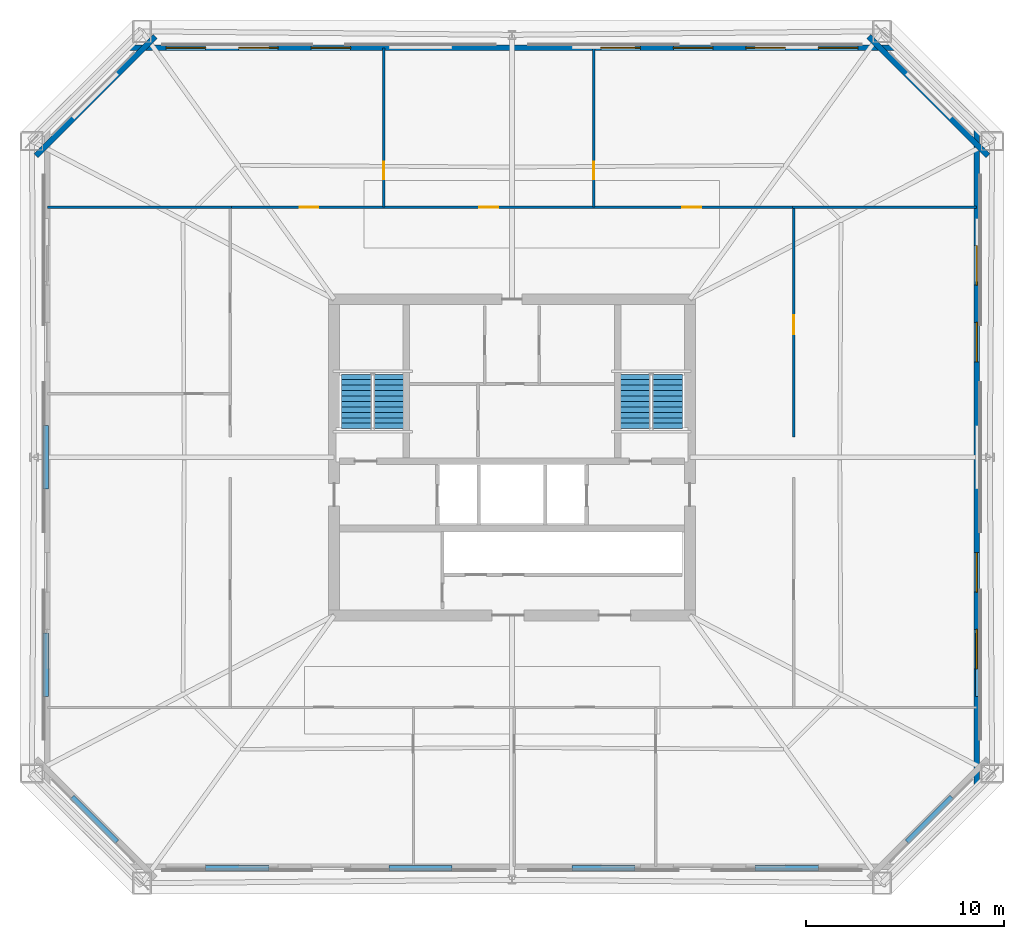
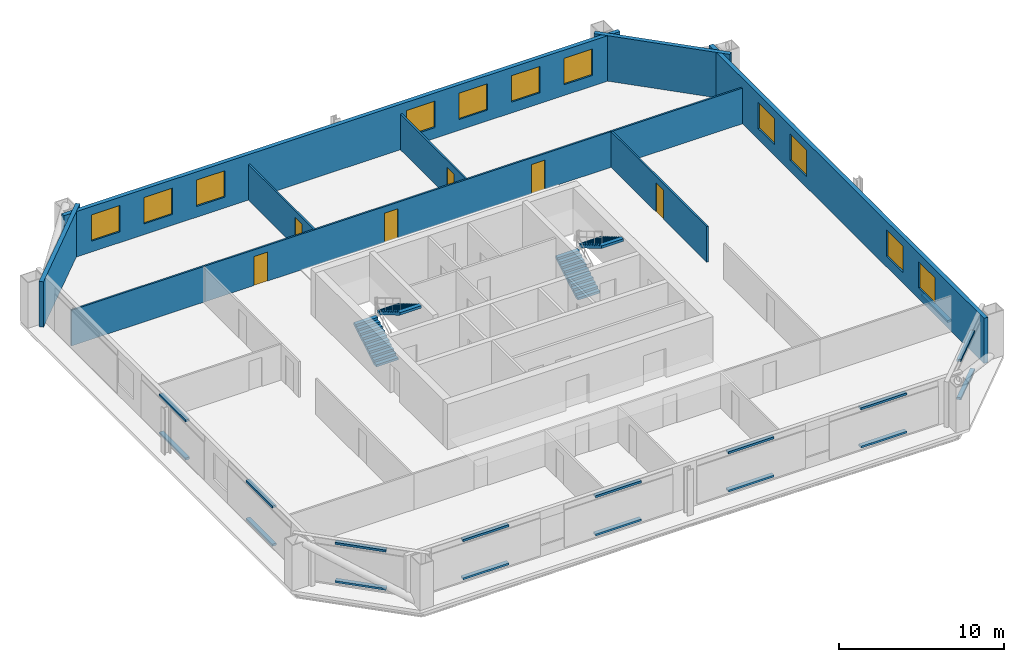
# One storey, part 4 of 7: 17 discrete accessories, 11 windows, 10 walls, 6 doors, 4 stair flights, 17 openings, 2 elements without a shape of their own.
"""IFC4 building model written with IfcOpenShell, lengths in metres."""

from ifc_helpers import new_model, si_unit, direction, frame, frame_2d, origin, origin_2d, place, context, subcontext, project, spatial, polyline, rectangle, outline, extrude, material, layer, layer_set, type_object, element, fill, aggregate, save


model = new_model("IFC4")

# Units and contexts
model_context = context("Model", 3, precision=1e-05, world=origin(), true_north=direction((0.0, 1.0)))
body_context = subcontext(model_context, "Body", "Model", "MODEL_VIEW")
ifc_project = project(units=[si_unit("LENGTHUNIT", "METRE"), si_unit("AREAUNIT", "SQUARE_METRE"), si_unit("VOLUMEUNIT", "CUBIC_METRE"), si_unit("PLANEANGLEUNIT", "RADIAN"), si_unit("MASSUNIT", "GRAM", prefix="KILO")], contexts=[model_context])

# Site, building, storey
site_placement = place(None, origin())
site = spatial("IfcSite", under=ifc_project, at=site_placement, CompositionType="ELEMENT")
building_placement = place(site_placement, origin())
building = spatial("IfcBuilding", under=site, at=building_placement, Name="Caelvoria Tower", CompositionType="ELEMENT")
storey_placement = place(building_placement, frame((0.0, 0.0, 98.800048828125)))
storey = spatial("IfcBuildingStorey", under=building, at=storey_placement, Name="L25", CompositionType="ELEMENT", Elevation=98.800048828125)

# Wall, openings, windows
ifc_material_1 = material(Name="Precast Concrete C40/50 with Bronze Cladding", Category="concrete")
ifc_layer_1 = layer(ifc_material_1, 0.280029296875, Name="Precast Concrete C40/50 with Bronze Cladding")
ifc_layer_set_1 = layer_set([ifc_layer_1], Name="Exterior Precast Concrete C40/50 Bronze-Clad Facade Wall 280 - Precast Concrete C40/50 with Bronze Cladding")
wall_type_1 = type_object("IfcWallType", Name="Exterior Precast Concrete C40/50 Bronze-Clad Facade Wall 280", PredefinedType="STANDARD", material=ifc_layer_set_1)
wall_1_placement = place(storey_placement, frame((69.52001953125, 15.360107421875, 0.0), z_axis=(0.0, 0.0, 1.0), x_axis=(0.0, 1.0, 0.0)))
wall_1 = element("IfcWall", 1, at=wall_1_placement, inside=storey, type_object=wall_type_1, Name="Exterior Facade Wall L25-E2", PredefinedType="STANDARD", context=body_context, shape_type="SweptSolid", body=[
    extrude(rectangle(XDim=33.27978515625, YDim=0.280029296875, at=frame_2d((16.639892578125, 0.0))), origin(), (0.0, 0.0, 1.0), 3.35986328125),
])
opening_1_placement = place(wall_1_placement, frame((5.927490234375, 0.0, 0.800048828125)))
opening_1 = element("IfcOpeningElement", 2, at=opening_1_placement, cuts=wall_1, Name="Opening WN-01", PredefinedType="OPENING", context=body_context, shape_type="SweptSolid", body=[
    extrude(rectangle(XDim=2.0, YDim=1.949951171875, at=frame_2d((1.0, 0.97509765625))), frame((0.0, 0.14990234375, 0.0), z_axis=(0.0, -1.0, 0.0), x_axis=(1.0, 0.0, 0.0)), (0.0, 0.0, 1.0), 0.300048828125),
])
opening_2_placement = place(wall_1_placement, frame((9.8125, 0.0, 0.800048828125)))
opening_2 = element("IfcOpeningElement", 3, at=opening_2_placement, cuts=wall_1, Name="Opening WN-01", PredefinedType="OPENING", context=body_context, shape_type="SweptSolid", body=[
    extrude(rectangle(XDim=2.0, YDim=1.949951171875, at=frame_2d((1.0, 0.97509765625))), frame((0.0, 0.14990234375, 0.0), z_axis=(0.0, -1.0, 0.0), x_axis=(1.0, 0.0, 0.0)), (0.0, 0.0, 1.0), 0.300048828125),
])
opening_3_placement = place(wall_1_placement, frame((21.467529296875, 0.0, 0.800048828125)))
opening_3 = element("IfcOpeningElement", 4, at=opening_3_placement, cuts=wall_1, Name="Opening WN-01", PredefinedType="OPENING", context=body_context, shape_type="SweptSolid", body=[
    extrude(rectangle(XDim=2.0, YDim=1.949951171875, at=frame_2d((1.0, 0.97509765625))), frame((0.0, 0.14990234375, 0.0), z_axis=(0.0, -1.0, 0.0), x_axis=(1.0, 0.0, 0.0)), (0.0, 0.0, 1.0), 0.300048828125),
])
opening_4_placement = place(wall_1_placement, frame((25.3525390625, 0.0, 0.800048828125)))
opening_4 = element("IfcOpeningElement", 5, at=opening_4_placement, cuts=wall_1, Name="Opening WN-01", PredefinedType="OPENING", context=body_context, shape_type="SweptSolid", body=[
    extrude(rectangle(XDim=2.0, YDim=1.949951171875, at=frame_2d((1.0, 0.97509765625))), frame((0.0, 0.14990234375, 0.0), z_axis=(0.0, -1.0, 0.0), x_axis=(1.0, 0.0, 0.0)), (0.0, 0.0, 1.0), 0.300048828125),
])
ifc_material_2 = material(Name="Low-E Tinted Glass in Bronze Aluminium Frame", Category="aluminium")
window_type = type_object("IfcWindowType", Name="Tower Office Vision Window 2000x1950", PartitioningType="SINGLE_PANEL", PredefinedType="WINDOW", material=ifc_material_2)
window_1_placement = place(opening_1_placement, origin())
window_1 = element("IfcWindow", 6, at=window_1_placement, inside=storey, type_object=window_type, Name="Facade Window L25-E2-01", OverallHeight=1.949951171875, OverallWidth=2.0, PartitioningType="SINGLE_PANEL", PredefinedType="WINDOW", context=body_context, shape_type="SweptSolid", body=[
    extrude(rectangle(XDim=2.0, YDim=1.949951171875, at=frame_2d((1.0, 0.97509765625))), frame((0.0, 0.030029296875, 0.0), z_axis=(0.0, -1.0, 0.0), x_axis=(1.0, 0.0, 0.0)), (0.0, 0.0, 1.0), 0.06005859375),
])
fill(opening_1, window_1)
window_2_placement = place(opening_2_placement, origin())
window_2 = element("IfcWindow", 7, at=window_2_placement, inside=storey, type_object=window_type, Name="Facade Window L25-E2-02", OverallHeight=1.949951171875, OverallWidth=2.0, PartitioningType="SINGLE_PANEL", PredefinedType="WINDOW", context=body_context, shape_type="SweptSolid", body=[
    extrude(rectangle(XDim=2.0, YDim=1.949951171875, at=frame_2d((1.0, 0.97509765625))), frame((0.0, 0.030029296875, 0.0), z_axis=(0.0, -1.0, 0.0), x_axis=(1.0, 0.0, 0.0)), (0.0, 0.0, 1.0), 0.06005859375),
])
fill(opening_2, window_2)
window_3_placement = place(opening_3_placement, origin())
window_3 = element("IfcWindow", 8, at=window_3_placement, inside=storey, type_object=window_type, Name="Facade Window L25-E2-05", OverallHeight=1.949951171875, OverallWidth=2.0, PartitioningType="SINGLE_PANEL", PredefinedType="WINDOW", context=body_context, shape_type="SweptSolid", body=[
    extrude(rectangle(XDim=2.0, YDim=1.949951171875, at=frame_2d((1.0, 0.97509765625))), frame((0.0, 0.030029296875, 0.0), z_axis=(0.0, -1.0, 0.0), x_axis=(1.0, 0.0, 0.0)), (0.0, 0.0, 1.0), 0.06005859375),
])
fill(opening_3, window_3)
window_4_placement = place(opening_4_placement, origin())
window_4 = element("IfcWindow", 9, at=window_4_placement, inside=storey, type_object=window_type, Name="Facade Window L25-E2-06", OverallHeight=1.949951171875, OverallWidth=2.0, PartitioningType="SINGLE_PANEL", PredefinedType="WINDOW", context=body_context, shape_type="SweptSolid", body=[
    extrude(rectangle(XDim=2.0, YDim=1.949951171875, at=frame_2d((1.0, 0.97509765625))), frame((0.0, 0.030029296875, 0.0), z_axis=(0.0, -1.0, 0.0), x_axis=(1.0, 0.0, 0.0)), (0.0, 0.0, 1.0), 0.06005859375),
])
fill(opening_4, window_4)

# Wall
wall_2_placement = place(storey_placement, frame((70.093994140625, 47.25439453125, 0.0), z_axis=(0.0, 0.0, 1.0), x_axis=(-0.707106781187, 0.707106781187, 0.0)))
element("IfcWall", 10, at=wall_2_placement, inside=storey, type_object=wall_type_1, Name="Exterior Facade Wall L25-E3", PredefinedType="STANDARD", context=body_context, shape_type="SweptSolid", body=[
    extrude(rectangle(XDim=8.541259765625, YDim=0.280029296875, at=frame_2d((4.2705078125, 0.0))), origin(), (0.0, 0.0, 1.0), 3.35986328125),
])

# Wall, openings, windows
wall_3_placement = place(storey_placement, frame((65.43994140625, 52.719970703125, 0.0), z_axis=(0.0, 0.0, 1.0), x_axis=(-1.0, 0.0, 0.0)))
wall_3 = element("IfcWall", 11, at=wall_3_placement, inside=storey, type_object=wall_type_1, Name="Exterior Facade Wall L25-E4", PredefinedType="STANDARD", context=body_context, shape_type="SweptSolid", body=[
    extrude(rectangle(XDim=38.8798828125, YDim=0.280029296875, at=frame_2d((19.43994140625, 0.0))), origin(), (0.0, 0.0, 1.0), 3.35986328125),
])
opening_5_placement = place(wall_3_placement, frame((1.93408203125, 0.0, 0.800048828125)))
opening_5 = element("IfcOpeningElement", 12, at=opening_5_placement, cuts=wall_3, Name="Opening WN-01", PredefinedType="OPENING", context=body_context, shape_type="SweptSolid", body=[
    extrude(rectangle(XDim=2.0, YDim=1.949951171875, at=frame_2d((1.0, 0.97509765625))), frame((0.0, 0.14990234375, 0.0), z_axis=(0.0, -1.0, 0.0), x_axis=(1.0, 0.0, 0.0)), (0.0, 0.0, 1.0), 0.300048828125),
])
opening_6_placement = place(wall_3_placement, frame((5.60205078125, 0.0, 0.800048828125)))
opening_6 = element("IfcOpeningElement", 13, at=opening_6_placement, cuts=wall_3, Name="Opening WN-01", PredefinedType="OPENING", context=body_context, shape_type="SweptSolid", body=[
    extrude(rectangle(XDim=2.0, YDim=1.949951171875, at=frame_2d((1.0, 0.97509765625))), frame((0.0, 0.14990234375, 0.0), z_axis=(0.0, -1.0, 0.0), x_axis=(1.0, 0.0, 0.0)), (0.0, 0.0, 1.0), 0.300048828125),
])
opening_7_placement = place(wall_3_placement, frame((9.27001953125, 0.0, 0.800048828125)))
opening_7 = element("IfcOpeningElement", 14, at=opening_7_placement, cuts=wall_3, Name="Opening WN-01", PredefinedType="OPENING", context=body_context, shape_type="SweptSolid", body=[
    extrude(rectangle(XDim=2.0, YDim=1.949951171875, at=frame_2d((1.0, 0.97509765625))), frame((0.0, 0.14990234375, 0.0), z_axis=(0.0, -1.0, 0.0), x_axis=(1.0, 0.0, 0.0)), (0.0, 0.0, 1.0), 0.300048828125),
])
opening_8_placement = place(wall_3_placement, frame((12.93798828125, 0.0, 0.800048828125)))
opening_8 = element("IfcOpeningElement", 15, at=opening_8_placement, cuts=wall_3, Name="Opening WN-01", PredefinedType="OPENING", context=body_context, shape_type="SweptSolid", body=[
    extrude(rectangle(XDim=2.0, YDim=1.949951171875, at=frame_2d((1.0, 0.97509765625))), frame((0.0, 0.14990234375, 0.0), z_axis=(0.0, -1.0, 0.0), x_axis=(1.0, 0.0, 0.0)), (0.0, 0.0, 1.0), 0.300048828125),
])
opening_9_placement = place(wall_3_placement, frame((27.610107421875, 0.0, 0.800048828125)))
opening_9 = element("IfcOpeningElement", 16, at=opening_9_placement, cuts=wall_3, Name="Opening WN-01", PredefinedType="OPENING", context=body_context, shape_type="SweptSolid", body=[
    extrude(rectangle(XDim=2.0, YDim=1.949951171875, at=frame_2d((1.0, 0.97509765625))), frame((0.0, 0.14990234375, 0.0), z_axis=(0.0, -1.0, 0.0), x_axis=(1.0, 0.0, 0.0)), (0.0, 0.0, 1.0), 0.300048828125),
])
opening_10_placement = place(wall_3_placement, frame((31.278076171875, 0.0, 0.800048828125)))
opening_10 = element("IfcOpeningElement", 17, at=opening_10_placement, cuts=wall_3, Name="Opening WN-01", PredefinedType="OPENING", context=body_context, shape_type="SweptSolid", body=[
    extrude(rectangle(XDim=2.0, YDim=1.949951171875, at=frame_2d((1.0, 0.97509765625))), frame((0.0, 0.14990234375, 0.0), z_axis=(0.0, -1.0, 0.0), x_axis=(1.0, 0.0, 0.0)), (0.0, 0.0, 1.0), 0.300048828125),
])
opening_11_placement = place(wall_3_placement, frame((34.946044921875, 0.0, 0.800048828125)))
opening_11 = element("IfcOpeningElement", 18, at=opening_11_placement, cuts=wall_3, Name="Opening WN-01", PredefinedType="OPENING", context=body_context, shape_type="SweptSolid", body=[
    extrude(rectangle(XDim=2.0, YDim=1.949951171875, at=frame_2d((1.0, 0.97509765625))), frame((0.0, 0.14990234375, 0.0), z_axis=(0.0, -1.0, 0.0), x_axis=(1.0, 0.0, 0.0)), (0.0, 0.0, 1.0), 0.300048828125),
])
window_5_placement = place(opening_5_placement, origin())
window_5 = element("IfcWindow", 19, at=window_5_placement, inside=storey, type_object=window_type, Name="Facade Window L25-E4-00", OverallHeight=1.949951171875, OverallWidth=2.0, PartitioningType="SINGLE_PANEL", PredefinedType="WINDOW", context=body_context, shape_type="SweptSolid", body=[
    extrude(rectangle(XDim=2.0, YDim=1.949951171875, at=frame_2d((1.0, 0.97509765625))), frame((0.0, 0.030029296875, 0.0), z_axis=(0.0, -1.0, 0.0), x_axis=(1.0, 0.0, 0.0)), (0.0, 0.0, 1.0), 0.06005859375),
])
fill(opening_5, window_5)
window_6_placement = place(opening_6_placement, origin())
window_6 = element("IfcWindow", 20, at=window_6_placement, inside=storey, type_object=window_type, Name="Facade Window L25-E4-01", OverallHeight=1.949951171875, OverallWidth=2.0, PartitioningType="SINGLE_PANEL", PredefinedType="WINDOW", context=body_context, shape_type="SweptSolid", body=[
    extrude(rectangle(XDim=2.0, YDim=1.949951171875, at=frame_2d((1.0, 0.97509765625))), frame((0.0, 0.030029296875, 0.0), z_axis=(0.0, -1.0, 0.0), x_axis=(1.0, 0.0, 0.0)), (0.0, 0.0, 1.0), 0.06005859375),
])
fill(opening_6, window_6)
window_7_placement = place(opening_7_placement, origin())
window_7 = element("IfcWindow", 21, at=window_7_placement, inside=storey, type_object=window_type, Name="Facade Window L25-E4-02", OverallHeight=1.949951171875, OverallWidth=2.0, PartitioningType="SINGLE_PANEL", PredefinedType="WINDOW", context=body_context, shape_type="SweptSolid", body=[
    extrude(rectangle(XDim=2.0, YDim=1.949951171875, at=frame_2d((1.0, 0.97509765625))), frame((0.0, 0.030029296875, 0.0), z_axis=(0.0, -1.0, 0.0), x_axis=(1.0, 0.0, 0.0)), (0.0, 0.0, 1.0), 0.06005859375),
])
fill(opening_7, window_7)
window_8_placement = place(opening_8_placement, origin())
window_8 = element("IfcWindow", 22, at=window_8_placement, inside=storey, type_object=window_type, Name="Facade Window L25-E4-03", OverallHeight=1.949951171875, OverallWidth=2.0, PartitioningType="SINGLE_PANEL", PredefinedType="WINDOW", context=body_context, shape_type="SweptSolid", body=[
    extrude(rectangle(XDim=2.0, YDim=1.949951171875, at=frame_2d((1.0, 0.97509765625))), frame((0.0, 0.030029296875, 0.0), z_axis=(0.0, -1.0, 0.0), x_axis=(1.0, 0.0, 0.0)), (0.0, 0.0, 1.0), 0.06005859375),
])
fill(opening_8, window_8)
window_9_placement = place(opening_9_placement, origin())
window_9 = element("IfcWindow", 23, at=window_9_placement, inside=storey, type_object=window_type, Name="Facade Window L25-E4-07", OverallHeight=1.949951171875, OverallWidth=2.0, PartitioningType="SINGLE_PANEL", PredefinedType="WINDOW", context=body_context, shape_type="SweptSolid", body=[
    extrude(rectangle(XDim=2.0, YDim=1.949951171875, at=frame_2d((1.0, 0.97509765625))), frame((0.0, 0.030029296875, 0.0), z_axis=(0.0, -1.0, 0.0), x_axis=(1.0, 0.0, 0.0)), (0.0, 0.0, 1.0), 0.06005859375),
])
fill(opening_9, window_9)
window_10_placement = place(opening_10_placement, origin())
window_10 = element("IfcWindow", 24, at=window_10_placement, inside=storey, type_object=window_type, Name="Facade Window L25-E4-08", OverallHeight=1.949951171875, OverallWidth=2.0, PartitioningType="SINGLE_PANEL", PredefinedType="WINDOW", context=body_context, shape_type="SweptSolid", body=[
    extrude(rectangle(XDim=2.0, YDim=1.949951171875, at=frame_2d((1.0, 0.97509765625))), frame((0.0, 0.030029296875, 0.0), z_axis=(0.0, -1.0, 0.0), x_axis=(1.0, 0.0, 0.0)), (0.0, 0.0, 1.0), 0.06005859375),
])
fill(opening_10, window_10)
window_11_placement = place(opening_11_placement, origin())
window_11 = element("IfcWindow", 25, at=window_11_placement, inside=storey, type_object=window_type, Name="Facade Window L25-E4-09", OverallHeight=1.949951171875, OverallWidth=2.0, PartitioningType="SINGLE_PANEL", PredefinedType="WINDOW", context=body_context, shape_type="SweptSolid", body=[
    extrude(rectangle(XDim=2.0, YDim=1.949951171875, at=frame_2d((1.0, 0.97509765625))), frame((0.0, 0.030029296875, 0.0), z_axis=(0.0, -1.0, 0.0), x_axis=(1.0, 0.0, 0.0)), (0.0, 0.0, 1.0), 0.06005859375),
])
fill(opening_11, window_11)

# Wall
wall_4_placement = place(storey_placement, frame((27.945556640625, 53.2939453125, 0.0), z_axis=(0.0, 0.0, 1.0), x_axis=(-0.707106781187, -0.707106781187, 0.0)))
element("IfcWall", 26, at=wall_4_placement, inside=storey, type_object=wall_type_1, Name="Exterior Facade Wall L25-E5", PredefinedType="STANDARD", context=body_context, shape_type="SweptSolid", body=[
    extrude(rectangle(XDim=8.541259765625, YDim=0.280029296875, at=frame_2d((4.2705078125, 0.0))), origin(), (0.0, 0.0, 1.0), 3.35986328125),
])

# Wall, opening, door
ifc_material_3 = material(Name="Acoustic Gypsum Board on Light-Gauge Stud", Category="gypsum")
ifc_layer_2 = layer(ifc_material_3, 0.1201171875, Name="Acoustic Gypsum Board on Light-Gauge Stud")
ifc_layer_set_2 = layer_set([ifc_layer_2], Name="Tenant Suite Acoustic Partition Wall 120 - Acoustic Gypsum Board on Light-Gauge Stud")
wall_type_2 = type_object("IfcWallType", Name="Tenant Suite Acoustic Partition Wall 120", PredefinedType="PARTITIONING", material=ifc_layer_set_2)
wall_5_placement = place(storey_placement, frame((39.51416015625, 44.659912109375, 0.0), z_axis=(0.0, 0.0, 1.0), x_axis=(0.0, 1.0, 0.0)))
wall_5 = element("IfcWall", 27, at=wall_5_placement, inside=storey, type_object=wall_type_2, Name="Interior Partition IW-L25-ND-00-0", PredefinedType="PARTITIONING", context=body_context, shape_type="SweptSolid", body=[
    extrude(rectangle(XDim=8.06005859375, YDim=0.1201171875, at=frame_2d((4.030029296875, 0.0))), origin(), (0.0, 0.0, 1.0), 2.639892578125),
])
opening_12_placement = place(wall_5_placement, frame((1.39990234375, 0.0, 0.0)))
opening_12 = element("IfcOpeningElement", 28, at=opening_12_placement, cuts=wall_5, Name="Opening ID-06", PredefinedType="OPENING", context=body_context, shape_type="SweptSolid", body=[
    extrude(rectangle(XDim=0.89990234375, YDim=2.14990234375, at=frame_2d((0.449951171875, 1.074951171875))), frame((0.0, 0.070068359375, 0.0), z_axis=(0.0, -1.0, 0.0), x_axis=(1.0, 0.0, 0.0)), (0.0, 0.0, 1.0), 0.14013671875),
])
ifc_material_4 = material(Name="Engineered Andean Oak Veneer Door", Category="wood")
door_type_1 = type_object("IfcDoorType", Name="Interior Timber Door 900x2150", OperationType="NOTDEFINED", PredefinedType="DOOR", material=ifc_material_4)
door_1_placement = place(opening_12_placement, origin())
door_1 = element("IfcDoor", 29, at=door_1_placement, inside=storey, type_object=door_type_1, Name="Interior Door DR-L25-NM-00-0", OperationType="SINGLE_SWING_RIGHT", OverallHeight=2.14990234375, OverallWidth=0.89990234375, PredefinedType="DOOR", context=body_context, shape_type="SweptSolid", body=[
    extrude(rectangle(XDim=0.89990234375, YDim=2.14990234375, at=frame_2d((0.449951171875, 1.074951171875))), frame((0.0, 0.02490234375, 0.0), z_axis=(0.0, -1.0, 0.0), x_axis=(1.0, 0.0, 0.0)), (0.0, 0.0, 1.0), 0.050048828125),
])
fill(opening_12, door_1)

wall_6_placement = place(storey_placement, frame((50.13671875, 44.659912109375, 0.0), z_axis=(0.0, 0.0, 1.0), x_axis=(0.0, 1.0, 0.0)))
wall_6 = element("IfcWall", 30, at=wall_6_placement, inside=storey, type_object=wall_type_2, Name="Interior Partition IW-L25-ND-01-0", PredefinedType="PARTITIONING", context=body_context, shape_type="SweptSolid", body=[
    extrude(rectangle(XDim=8.06005859375, YDim=0.1201171875, at=frame_2d((4.030029296875, 0.0))), origin(), (0.0, 0.0, 1.0), 2.639892578125),
])
opening_13_placement = place(wall_6_placement, frame((1.39990234375, 0.0, 0.0)))
opening_13 = element("IfcOpeningElement", 31, at=opening_13_placement, cuts=wall_6, Name="Opening ID-06", PredefinedType="OPENING", context=body_context, shape_type="SweptSolid", body=[
    extrude(rectangle(XDim=0.89990234375, YDim=2.14990234375, at=frame_2d((0.449951171875, 1.074951171875))), frame((0.0, 0.070068359375, 0.0), z_axis=(0.0, -1.0, 0.0), x_axis=(1.0, 0.0, 0.0)), (0.0, 0.0, 1.0), 0.14013671875),
])
door_2_placement = place(opening_13_placement, origin())
door_2 = element("IfcDoor", 32, at=door_2_placement, inside=storey, type_object=door_type_1, Name="Interior Door DR-L25-NM-01-0", OperationType="SINGLE_SWING_LEFT", OverallHeight=2.14990234375, OverallWidth=0.89990234375, PredefinedType="DOOR", context=body_context, shape_type="SweptSolid", body=[
    extrude(rectangle(XDim=0.89990234375, YDim=2.14990234375, at=frame_2d((0.449951171875, 1.074951171875))), frame((0.0, 0.02490234375, 0.0), z_axis=(0.0, -1.0, 0.0), x_axis=(1.0, 0.0, 0.0)), (0.0, 0.0, 1.0), 0.050048828125),
])
fill(opening_13, door_2)

# Wall, openings, doors
wall_7_placement = place(storey_placement, frame((31.800048828125, 44.659912109375, 0.0), z_axis=(0.0, 0.0, 1.0), x_axis=(1.0, 0.0, 0.0)))
wall_7 = element("IfcWall", 33, at=wall_7_placement, inside=storey, type_object=wall_type_2, Name="Interior Partition IW-L25-NCW-0", PredefinedType="PARTITIONING", context=body_context, shape_type="SweptSolid", body=[
    extrude(rectangle(XDim=28.39990234375, YDim=0.1201171875, at=frame_2d((14.199951171875, 0.0))), origin(), (0.0, 0.0, 1.0), 2.639892578125),
])
opening_14_placement = place(wall_7_placement, frame((3.451904296875, 0.0, 0.0)))
opening_14 = element("IfcOpeningElement", 34, at=opening_14_placement, cuts=wall_7, Name="Opening ID-05", PredefinedType="OPENING", context=body_context, shape_type="SweptSolid", body=[
    extrude(rectangle(XDim=0.949951171875, YDim=2.14990234375, at=frame_2d((0.47509765625, 1.074951171875))), frame((0.0, 0.070068359375, 0.0), z_axis=(0.0, -1.0, 0.0), x_axis=(1.0, 0.0, 0.0)), (0.0, 0.0, 1.0), 0.14013671875),
])
opening_15_placement = place(wall_7_placement, frame((12.550537109375, 0.0, 0.0)))
opening_15 = element("IfcOpeningElement", 35, at=opening_15_placement, cuts=wall_7, Name="Opening ID-05", PredefinedType="OPENING", context=body_context, shape_type="SweptSolid", body=[
    extrude(rectangle(XDim=0.949951171875, YDim=2.14990234375, at=frame_2d((0.47509765625, 1.074951171875))), frame((0.0, 0.070068359375, 0.0), z_axis=(0.0, -1.0, 0.0), x_axis=(1.0, 0.0, 0.0)), (0.0, 0.0, 1.0), 0.14013671875),
])
opening_16_placement = place(wall_7_placement, frame((22.823486328125, 0.0, 0.0)))
opening_16 = element("IfcOpeningElement", 36, at=opening_16_placement, cuts=wall_7, Name="Opening ID-05", PredefinedType="OPENING", context=body_context, shape_type="SweptSolid", body=[
    extrude(rectangle(XDim=0.949951171875, YDim=2.14990234375, at=frame_2d((0.47509765625, 1.074951171875))), frame((0.0, 0.070068359375, 0.0), z_axis=(0.0, -1.0, 0.0), x_axis=(1.0, 0.0, 0.0)), (0.0, 0.0, 1.0), 0.14013671875),
])
door_type_2 = type_object("IfcDoorType", Name="Interior Timber Door 950x2150", OperationType="NOTDEFINED", PredefinedType="DOOR", material=ifc_material_4)
door_3_placement = place(opening_14_placement, origin())
door_3 = element("IfcDoor", 37, at=door_3_placement, inside=storey, type_object=door_type_2, Name="Interior Door DR-L25-NC-00-0", OperationType="SINGLE_SWING_RIGHT", OverallHeight=2.14990234375, OverallWidth=0.949951171875, PredefinedType="DOOR", context=body_context, shape_type="SweptSolid", body=[
    extrude(rectangle(XDim=0.949951171875, YDim=2.14990234375, at=frame_2d((0.47509765625, 1.074951171875))), frame((0.0, 0.02490234375, 0.0), z_axis=(0.0, -1.0, 0.0), x_axis=(1.0, 0.0, 0.0)), (0.0, 0.0, 1.0), 0.050048828125),
])
fill(opening_14, door_3)
door_4_placement = place(opening_15_placement, origin())
door_4 = element("IfcDoor", 38, at=door_4_placement, inside=storey, type_object=door_type_2, Name="Interior Door DR-L25-NC-01-0", OperationType="SINGLE_SWING_LEFT", OverallHeight=2.14990234375, OverallWidth=0.949951171875, PredefinedType="DOOR", context=body_context, shape_type="SweptSolid", body=[
    extrude(rectangle(XDim=0.949951171875, YDim=2.14990234375, at=frame_2d((0.47509765625, 1.074951171875))), frame((0.0, 0.02490234375, 0.0), z_axis=(0.0, -1.0, 0.0), x_axis=(1.0, 0.0, 0.0)), (0.0, 0.0, 1.0), 0.050048828125),
])
fill(opening_15, door_4)
door_5_placement = place(opening_16_placement, origin())
door_5 = element("IfcDoor", 39, at=door_5_placement, inside=storey, type_object=door_type_2, Name="Interior Door DR-L25-NC-02-0", OperationType="SINGLE_SWING_RIGHT", OverallHeight=2.14990234375, OverallWidth=0.949951171875, PredefinedType="DOOR", context=body_context, shape_type="SweptSolid", body=[
    extrude(rectangle(XDim=0.949951171875, YDim=2.14990234375, at=frame_2d((0.47509765625, 1.074951171875))), frame((0.0, 0.02490234375, 0.0), z_axis=(0.0, -1.0, 0.0), x_axis=(1.0, 0.0, 0.0)), (0.0, 0.0, 1.0), 0.050048828125),
])
fill(opening_16, door_5)

# Wall, opening, door
wall_8_placement = place(storey_placement, frame((60.260009765625, 33.02001953125, 0.0), z_axis=(0.0, 0.0, 1.0), x_axis=(0.0, 1.0, 0.0)))
wall_8 = element("IfcWall", 40, at=wall_8_placement, inside=storey, type_object=wall_type_2, Name="Interior Partition IW-L25-ECW-1", PredefinedType="PARTITIONING", context=body_context, shape_type="SweptSolid", body=[
    extrude(rectangle(XDim=11.580078125, YDim=0.1201171875, at=frame_2d((5.7900390625, 0.0))), origin(), (0.0, 0.0, 1.0), 2.639892578125),
])
opening_17_placement = place(wall_8_placement, frame((5.215087890625, 0.0, 0.0)))
opening_17 = element("IfcOpeningElement", 41, at=opening_17_placement, cuts=wall_8, Name="Opening ID-05", PredefinedType="OPENING", context=body_context, shape_type="SweptSolid", body=[
    extrude(rectangle(XDim=0.949951171875, YDim=2.14990234375, at=frame_2d((0.47509765625, 1.074951171875))), frame((0.0, 0.070068359375, 0.0), z_axis=(0.0, -1.0, 0.0), x_axis=(1.0, 0.0, 0.0)), (0.0, 0.0, 1.0), 0.14013671875),
])
door_6_placement = place(opening_17_placement, origin())
door_6 = element("IfcDoor", 42, at=door_6_placement, inside=storey, type_object=door_type_2, Name="Interior Door DR-L25-EC-00-0", OperationType="SINGLE_SWING_RIGHT", OverallHeight=2.14990234375, OverallWidth=0.949951171875, PredefinedType="DOOR", context=body_context, shape_type="SweptSolid", body=[
    extrude(rectangle(XDim=0.949951171875, YDim=2.14990234375, at=frame_2d((0.47509765625, 1.074951171875))), frame((0.0, 0.02490234375, 0.0), z_axis=(0.0, -1.0, 0.0), x_axis=(1.0, 0.0, 0.0)), (0.0, 0.0, 1.0), 0.050048828125),
])
fill(opening_17, door_6)

# Walls
for number, where, z_axis, x_axis, name in (
    (43, (31.800048828125, 44.659912109375, 0.0), (0.0, 0.0, 1.0), (-1.0, 0.0, 0.0), "Interior Partition IW-L25-BNW-0"),
    (44, (60.199951171875, 44.659912109375, 0.0), (0.0, 0.0, 1.0), (1.0, 0.0, 0.0), "Interior Partition IW-L25-BNE-0"),
):
    element("IfcWall", number, at=place(storey_placement, frame(where, z_axis=z_axis, x_axis=x_axis)), inside=storey, type_object=wall_type_2, Name=name, PredefinedType="PARTITIONING", context=body_context, shape_type="SweptSolid", body=[
        extrude(rectangle(XDim=9.320068359375, YDim=0.1201171875, at=frame_2d((4.66015625, 0.0))), origin(), (0.0, 0.0, 1.0), 2.639892578125),
    ])

# Stair, stair flights
ifc_material_5 = material(Name="Concrete C40/50", Category="concrete")
stair_type = type_object("IfcStairType", Name="Core Smokeproof Dogleg Stair Concrete C40/50", PredefinedType="HALF_TURN_STAIR", material=ifc_material_5)
stair_1_placement = place(storey_placement, origin())
stair_1 = element("IfcStair", 45, at=stair_1_placement, inside=storey, type_object=stair_type, Name="ST-01 Smokeproof Exit Stair L25", PredefinedType="HALF_TURN_STAIR")
ifc_material_6 = material(Name="Precast Concrete C40/50", Category="concrete")
stair_flight_type = type_object("IfcStairFlightType", Name="Precast Concrete C40/50 Stair Flight 1480", PredefinedType="STRAIGHT", material=ifc_material_6)
stair_flight_1_placement = place(storey_placement, frame((38.1298828125, 33.449951171875, 0.0), z_axis=(0.0, 0.0, 1.0), x_axis=(0.0, 1.0, 0.0)))
stair_flight_1 = element("IfcStairFlight", 46, at=stair_flight_1_placement, type_object=stair_flight_type, Name="ST-01 flight 1", NumberOfRisers=11, NumberOfTreads=10, PredefinedType="STRAIGHT", RiserHeight=0.1636, TreadLength=0.275, context=body_context, shape_type="SweptSolid", body=[
    extrude(outline(polyline([(0.0, 0.0), (0.0, 0.16357421875), (0.27490234375, 0.16357421875), (0.27490234375, 0.3271484375), (0.550048828125, 0.3271484375), (0.550048828125, 0.49072265625), (0.824951171875, 0.49072265625), (0.824951171875, 0.654296875), (1.10009765625, 0.654296875), (1.10009765625, 0.818115234375), (1.375, 0.818115234375), (1.375, 0.981689453125), (1.64990234375, 0.981689453125), (1.64990234375, 1.145263671875), (1.925048828125, 1.145263671875), (1.925048828125, 1.308837890625), (2.199951171875, 1.308837890625), (2.199951171875, 1.472412109375), (2.47509765625, 1.472412109375), (2.47509765625, 1.635986328125), (2.75, 1.635986328125), (2.75, 1.799560546875), (2.75, 1.449951171875), (0.312744140625, 0.0), (0.0, 0.0)])), frame((0.0, 0.77001953125, 0.0), z_axis=(0.0, -1.0, 0.0), x_axis=(1.0, 0.0, 0.0)), (0.0, 0.0, 1.0), 1.5400390625),
])
stair_flight_2_placement = place(storey_placement, frame((39.77001953125, 36.199951171875, 1.800048828125), z_axis=(0.0, 0.0, 1.0), x_axis=(0.0, -1.0, 0.0)))
stair_flight_2 = element("IfcStairFlight", 47, at=stair_flight_2_placement, type_object=stair_flight_type, Name="ST-01 flight 2", NumberOfRisers=11, NumberOfTreads=10, PredefinedType="STRAIGHT", RiserHeight=0.1636, TreadLength=0.275, context=body_context, shape_type="SweptSolid", body=[
    extrude(outline(polyline([(0.0, 0.0), (0.0, 0.16357421875), (0.27490234375, 0.16357421875), (0.27490234375, 0.3271484375), (0.550048828125, 0.3271484375), (0.550048828125, 0.49072265625), (0.824951171875, 0.49072265625), (0.824951171875, 0.654296875), (1.10009765625, 0.654296875), (1.10009765625, 0.818115234375), (1.375, 0.818115234375), (1.375, 0.981689453125), (1.64990234375, 0.981689453125), (1.64990234375, 1.145263671875), (1.925048828125, 1.145263671875), (1.925048828125, 1.308837890625), (2.199951171875, 1.308837890625), (2.199951171875, 1.472412109375), (2.47509765625, 1.472412109375), (2.47509765625, 1.635986328125), (2.75, 1.635986328125), (2.75, 1.799560546875), (2.75, 1.449951171875), (0.312744140625, 0.0), (0.0, 0.0)])), frame((0.0, 0.77001953125, 0.0), z_axis=(0.0, -1.0, 0.0), x_axis=(1.0, 0.0, 0.0)), (0.0, 0.0, 1.0), 1.5400390625),
])
aggregate(stair_1, [stair_flight_1, stair_flight_2])

stair_2_placement = place(storey_placement, origin())
stair_2 = element("IfcStair", 48, at=stair_2_placement, inside=storey, type_object=stair_type, Name="ST-02 Smokeproof Exit Stair L25", PredefinedType="HALF_TURN_STAIR")
stair_flight_3_placement = place(storey_placement, frame((52.22998046875, 33.449951171875, 0.0), z_axis=(0.0, 0.0, 1.0), x_axis=(0.0, 1.0, 0.0)))
stair_flight_3 = element("IfcStairFlight", 49, at=stair_flight_3_placement, type_object=stair_flight_type, Name="ST-02 flight 1", NumberOfRisers=11, NumberOfTreads=10, PredefinedType="STRAIGHT", RiserHeight=0.1636, TreadLength=0.275, context=body_context, shape_type="SweptSolid", body=[
    extrude(outline(polyline([(0.0, 0.0), (0.0, 0.16357421875), (0.27490234375, 0.16357421875), (0.27490234375, 0.3271484375), (0.550048828125, 0.3271484375), (0.550048828125, 0.49072265625), (0.824951171875, 0.49072265625), (0.824951171875, 0.654296875), (1.10009765625, 0.654296875), (1.10009765625, 0.818115234375), (1.375, 0.818115234375), (1.375, 0.981689453125), (1.64990234375, 0.981689453125), (1.64990234375, 1.145263671875), (1.925048828125, 1.145263671875), (1.925048828125, 1.308837890625), (2.199951171875, 1.308837890625), (2.199951171875, 1.472412109375), (2.47509765625, 1.472412109375), (2.47509765625, 1.635986328125), (2.75, 1.635986328125), (2.75, 1.799560546875), (2.75, 1.449951171875), (0.312744140625, 0.0), (0.0, 0.0)])), frame((0.0, 0.77001953125, 0.0), z_axis=(0.0, -1.0, 0.0), x_axis=(1.0, 0.0, 0.0)), (0.0, 0.0, 1.0), 1.5400390625),
])
stair_flight_4_placement = place(storey_placement, frame((53.8701171875, 36.199951171875, 1.800048828125), z_axis=(0.0, 0.0, 1.0), x_axis=(0.0, -1.0, 0.0)))
stair_flight_4 = element("IfcStairFlight", 50, at=stair_flight_4_placement, type_object=stair_flight_type, Name="ST-02 flight 2", NumberOfRisers=11, NumberOfTreads=10, PredefinedType="STRAIGHT", RiserHeight=0.1636, TreadLength=0.275, context=body_context, shape_type="SweptSolid", body=[
    extrude(outline(polyline([(0.0, 0.0), (0.0, 0.16357421875), (0.27490234375, 0.16357421875), (0.27490234375, 0.3271484375), (0.550048828125, 0.3271484375), (0.550048828125, 0.49072265625), (0.824951171875, 0.49072265625), (0.824951171875, 0.654296875), (1.10009765625, 0.654296875), (1.10009765625, 0.818115234375), (1.375, 0.818115234375), (1.375, 0.981689453125), (1.64990234375, 0.981689453125), (1.64990234375, 1.145263671875), (1.925048828125, 1.145263671875), (1.925048828125, 1.308837890625), (2.199951171875, 1.308837890625), (2.199951171875, 1.472412109375), (2.47509765625, 1.472412109375), (2.47509765625, 1.635986328125), (2.75, 1.635986328125), (2.75, 1.799560546875), (2.75, 1.449951171875), (0.312744140625, 0.0), (0.0, 0.0)])), frame((0.0, 0.77001953125, 0.0), z_axis=(0.0, -1.0, 0.0), x_axis=(1.0, 0.0, 0.0)), (0.0, 0.0, 1.0), 1.5400390625),
])
aggregate(stair_2, [stair_flight_3, stair_flight_4])

# Discrete accessories
ifc_material_7 = material(Name="Anodised Bronze Stainless Bracket", Category="bronze")
discrete_accessory_type = type_object("IfcDiscreteAccessoryType", Name="Solar Screen Outrigger Support Bracket", PredefinedType="BRACKET", material=ifc_material_7)
for number, where, z_axis, x_axis, name in (
    (51, (32.094970703125, 11.202880859375, 0.240234375), (0.0, 0.0, 1.0), (1.0, 0.0, 0.0), "Solar Screen Bracket L25-E0-00"),
    (52, (32.094970703125, 11.202880859375, 3.06005859375), (0.0, 0.0, 1.0), (1.0, 0.0, 0.0), "Upper Screen Band Bracket L25-E0-00"),
    (53, (41.364990234375, 11.202880859375, 0.240234375), (0.0, 0.0, 1.0), (1.0, 0.0, 0.0), "Solar Screen Bracket L25-E0-01"),
    (54, (41.364990234375, 11.202880859375, 3.06005859375), (0.0, 0.0, 1.0), (1.0, 0.0, 0.0), "Upper Screen Band Bracket L25-E0-01"),
    (55, (50.635009765625, 11.202880859375, 0.240234375), (0.0, 0.0, 1.0), (1.0, 0.0, 0.0), "Solar Screen Bracket L25-E0-02"),
    (56, (50.635009765625, 11.202880859375, 3.06005859375), (0.0, 0.0, 1.0), (1.0, 0.0, 0.0), "Upper Screen Band Bracket L25-E0-02"),
    (57, (59.905029296875, 11.202880859375, 0.240234375), (0.0, 0.0, 1.0), (1.0, 0.0, 0.0), "Solar Screen Bracket L25-E0-03"),
    (58, (59.905029296875, 11.202880859375, 3.06005859375), (0.0, 0.0, 1.0), (1.0, 0.0, 0.0), "Upper Screen Band Bracket L25-E0-03"),
    (59, (67.128662109375, 13.67138671875, 0.240234375), (0.0, 0.0, 1.0), (0.707106781187, 0.707106781187, 0.0), "Solar Screen Bracket L25-E1-00"),
    (60, (67.128662109375, 13.67138671875, 3.06005859375), (0.0, 0.0, 1.0), (0.707106781187, 0.707106781187, 0.0), "Upper Screen Band Bracket L25-E1-00"),
    (61, (69.596923828125, 21.506591796875, 0.240234375), (0.0, 0.0, 1.0), (0.0, 1.0, 0.0), "Solar Screen Bracket L25-E2-00"),
    (62, (22.403076171875, 32.0, 0.240234375), (0.0, 0.0, 1.0), (0.0, -1.0, 0.0), "Solar Screen Bracket L25-E6-01"),
    (63, (22.403076171875, 32.0, 3.06005859375), (0.0, 0.0, 1.0), (0.0, -1.0, 0.0), "Upper Screen Band Bracket L25-E6-01"),
    (64, (22.403076171875, 21.506591796875, 0.240234375), (0.0, 0.0, 1.0), (0.0, -1.0, 0.0), "Solar Screen Bracket L25-E6-02"),
    (65, (22.403076171875, 21.506591796875, 3.06005859375), (0.0, 0.0, 1.0), (0.0, -1.0, 0.0), "Upper Screen Band Bracket L25-E6-02"),
    (66, (24.871337890625, 13.67138671875, 0.240234375), (0.0, 0.0, 1.0), (0.707106781187, -0.707106781187, 0.0), "Solar Screen Bracket L25-E7-00"),
    (67, (24.871337890625, 13.67138671875, 3.06005859375), (0.0, 0.0, 1.0), (0.707106781187, -0.707106781187, 0.0), "Upper Screen Band Bracket L25-E7-00"),
):
    element("IfcDiscreteAccessory", number, at=place(storey_placement, frame(where, z_axis=z_axis, x_axis=x_axis)), inside=storey, type_object=discrete_accessory_type, Name=name, PredefinedType="BRACKET", context=body_context, shape_type="SweptSolid", body=[
        extrude(rectangle(XDim=3.199951171875, YDim=0.280029296875, at=origin_2d()), origin(), (0.0, 0.0, 1.0), 0.159912109375),
    ])

save(model, "model.ifc")
